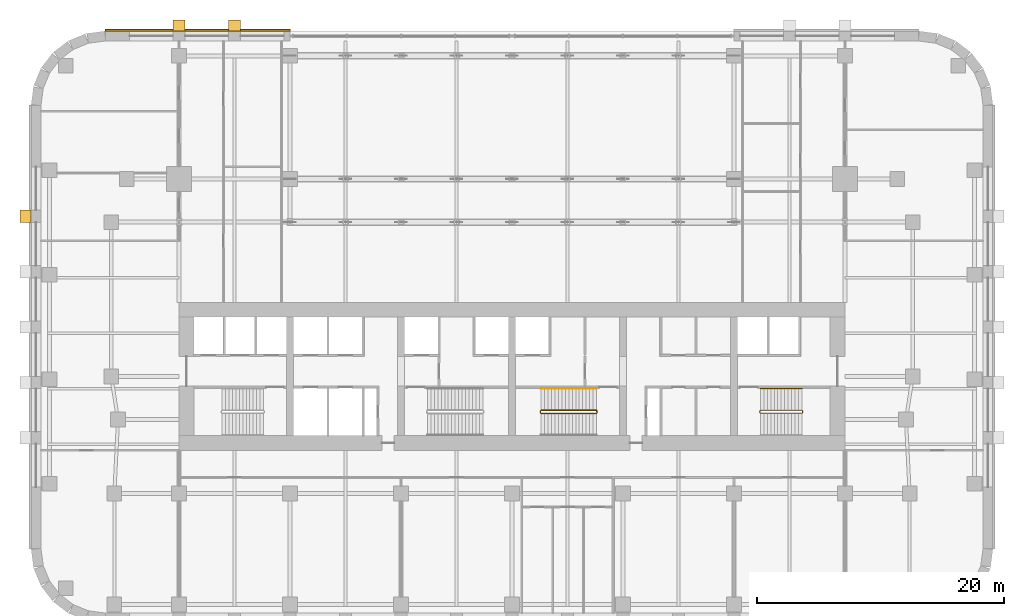
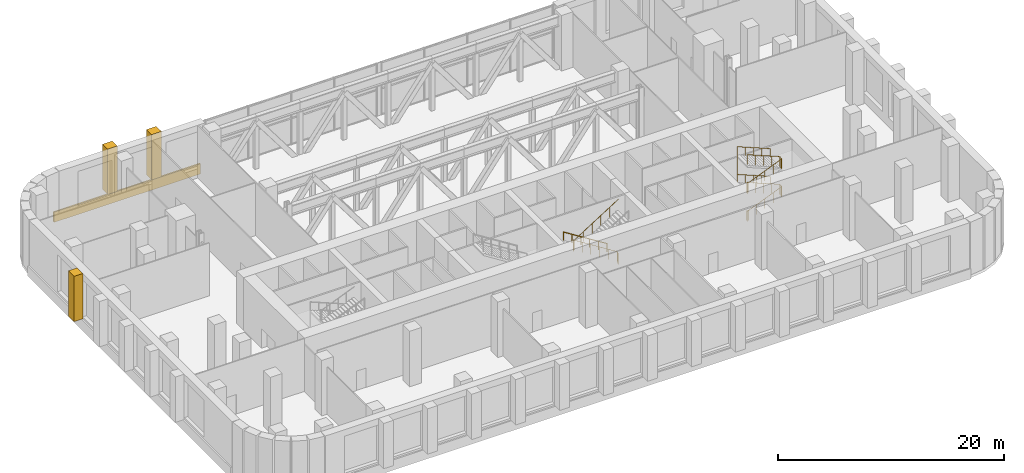
# One storey, part 11 of 13: 4 coverings, 4 railings.
"""IFC4 building model written with IfcOpenShell, lengths in metres."""

from ifc_helpers import new_model, si_unit, direction, frame, origin, origin_2d, place, context, subcontext, project, spatial, polyline, circle, outline, extrude, material, layer, layer_set, type_object, element, save


model = new_model("IFC4")

# Units and contexts
model_context = context("Model", 3, precision=1e-05, world=origin(), true_north=direction((0.0, 1.0)))
body_context = subcontext(model_context, "Body", "Model", "MODEL_VIEW")
ifc_project = project(units=[si_unit("LENGTHUNIT", "METRE"), si_unit("AREAUNIT", "SQUARE_METRE"), si_unit("VOLUMEUNIT", "CUBIC_METRE"), si_unit("PLANEANGLEUNIT", "RADIAN"), si_unit("MASSUNIT", "GRAM", prefix="KILO")], contexts=[model_context])

# Site, building, storey
site_placement = place(None, origin())
site = spatial("IfcSite", under=ifc_project, at=site_placement, CompositionType="ELEMENT")
building_placement = place(site_placement, origin())
building = spatial("IfcBuilding", under=site, at=building_placement, Name="Zellij Exchange Tower", CompositionType="ELEMENT")
storey_placement = place(building_placement, frame((0.0, 0.0, 27.0)))
storey = spatial("IfcBuildingStorey", under=building, at=storey_placement, Name="L04", CompositionType="ELEMENT", Elevation=27.0)

# Railings
ifc_material_1 = material(Name="Stainless steel", Category="steel")
railing_type_1 = type_object("IfcRailingType", Name="CORE-RG stair guard", PredefinedType="GUARDRAIL", material=ifc_material_1)
railing_1_placement = place(storey_placement, frame((6.89990234375, -10.800048828125, 0.0)))
element("IfcRailing", 1, at=railing_1_placement, inside=storey, type_object=railing_type_1, Name="ST3 stair guard L04", PredefinedType="GUARDRAIL", context=body_context, shape_type="SweptSolid", body=[
    extrude(circle(Radius=0.02392578125, at=origin_2d()), frame((0.0, 0.0, 1.076171875), z_axis=(0.0, -1.0, 0.0), x_axis=(1.0, 0.0, 0.0)), (0.0, 0.0, 1.0), 0.14990234375),
    extrude(circle(Radius=0.02392578125, at=origin_2d()), frame((0.0, -0.14990234375, 1.076171875), z_axis=(-0.183560001127, 0.736939416289, 0.650558239288), x_axis=(-0.970351222016, -0.241699205484, 0.0)), (0.0, 0.0, 1.0), 0.271240234375),
    extrude(circle(Radius=0.02392578125, at=origin_2d()), frame((-0.0498046875, 0.050048828125, 1.25244140625), z_axis=(-0.845997938375, 0.0, 0.533186166611), x_axis=(0.0, -1.0, 0.0)), (0.0, 0.0, 1.0), 5.29541015625),
    extrude(circle(Radius=0.02392578125, at=origin_2d()), frame((-4.52978515625, 0.050048828125, 4.076171875), z_axis=(-0.707106781187, -0.707106781187, 0.0), x_axis=(0.707106781187, -0.707106781187, 0.0)), (0.0, 0.0, 1.0), 0.07080078125),
    extrude(circle(Radius=0.02392578125, at=origin_2d()), frame((-4.579833984375, 0.0, 4.076171875), z_axis=(0.0, -1.0, 0.0), x_axis=(1.0, 0.0, 0.0)), (0.0, 0.0, 1.0), 0.14990234375),
    extrude(circle(Radius=0.02392578125, at=origin_2d()), frame((-4.579833984375, -0.14990234375, 4.076171875), z_axis=(0.263171338983, -0.263171338983, 0.928160380902), x_axis=(0.707106781187, 0.707106781187, 0.0)), (0.0, 0.0, 1.0), 0.190185546875),
    extrude(circle(Radius=0.02392578125, at=origin_2d()), frame((-4.52978515625, -0.199951171875, 4.25244140625), z_axis=(0.845997938375, 0.0, 0.533186166611), x_axis=(0.0, 1.0, 0.0)), (0.0, 0.0, 1.0), 5.29541015625),
    extrude(circle(Radius=0.02099609375, at=origin_2d()), origin(), (0.0, 0.0, 1.0), 1.052001953125),
    extrude(circle(Radius=0.02099609375, at=origin_2d()), frame((0.0, -0.14990234375, 0.0)), (0.0, 0.0, 1.0), 1.052001953125),
    extrude(circle(Radius=0.02099609375, at=origin_2d()), frame((-0.0498046875, 0.050048828125, 0.176513671875)), (0.0, 0.0, 1.0), 1.052001953125),
    extrude(circle(Radius=0.02099609375, at=origin_2d()), frame((-0.94580078125, 0.050048828125, 0.7412109375)), (0.0, 0.0, 1.0), 1.052001953125),
    extrude(circle(Radius=0.02099609375, at=origin_2d()), frame((-1.841796875, 0.050048828125, 1.305908203125)), (0.0, 0.0, 1.0), 1.052001953125),
    extrude(circle(Radius=0.02099609375, at=origin_2d()), frame((-2.73779296875, 0.050048828125, 1.87060546875)), (0.0, 0.0, 1.0), 1.052001953125),
    extrude(circle(Radius=0.02099609375, at=origin_2d()), frame((-3.6337890625, 0.050048828125, 2.435302734375)), (0.0, 0.0, 1.0), 1.052001953125),
    extrude(circle(Radius=0.02099609375, at=origin_2d()), frame((-4.52978515625, 0.050048828125, 3.0)), (0.0, 0.0, 1.0), 1.052001953125),
    extrude(circle(Radius=0.02099609375, at=origin_2d()), frame((-4.579833984375, 0.0, 3.0)), (0.0, 0.0, 1.0), 1.052001953125),
    extrude(circle(Radius=0.02099609375, at=origin_2d()), frame((-4.579833984375, -0.14990234375, 3.0)), (0.0, 0.0, 1.0), 1.052001953125),
    extrude(circle(Radius=0.02099609375, at=origin_2d()), frame((-4.52978515625, -0.199951171875, 3.176513671875)), (0.0, 0.0, 1.0), 1.052001953125),
    extrude(circle(Radius=0.02099609375, at=origin_2d()), frame((-3.6337890625, -0.199951171875, 3.7412109375)), (0.0, 0.0, 1.0), 1.052001953125),
    extrude(circle(Radius=0.02099609375, at=origin_2d()), frame((-2.73779296875, -0.199951171875, 4.305908203125)), (0.0, 0.0, 1.0), 1.052001953125),
    extrude(circle(Radius=0.02099609375, at=origin_2d()), frame((-1.841796875, -0.199951171875, 4.87060546875)), (0.0, 0.0, 1.0), 1.052001953125),
    extrude(circle(Radius=0.02099609375, at=origin_2d()), frame((-0.94580078125, -0.199951171875, 5.435302734375)), (0.0, 0.0, 1.0), 1.052001953125),
    extrude(circle(Radius=0.02099609375, at=origin_2d()), frame((-0.0498046875, -0.199951171875, 6.0)), (0.0, 0.0, 1.0), 1.052001953125),
])
railing_2_placement = place(storey_placement, frame((20.10009765625, -10.949951171875, 0.0)))
element("IfcRailing", 2, at=railing_2_placement, inside=storey, type_object=railing_type_1, Name="ST4 stair guard L04", PredefinedType="GUARDRAIL", context=body_context, shape_type="SweptSolid", body=[
    extrude(circle(Radius=0.02392578125, at=origin_2d()), frame((0.0, 0.0, 1.076171875), z_axis=(0.0, 1.0, 0.0), x_axis=(-1.0, 0.0, 0.0)), (0.0, 0.0, 1.0), 0.14990234375),
    extrude(circle(Radius=0.02392578125, at=origin_2d()), frame((0.0, 0.14990234375, 1.076171875), z_axis=(0.210847110147, -0.846489133385, 0.488875897547), x_axis=(0.970351222016, 0.241699205484, 0.0)), (0.0, 0.0, 1.0), 0.236328125),
    extrude(circle(Radius=0.02392578125, at=origin_2d()), frame((0.0498046875, -0.050048828125, 1.19140625), z_axis=(0.924586246868, 0.0, 0.380972797064), x_axis=(0.0, 1.0, 0.0)), (0.0, 0.0, 1.0), 3.63427734375),
    extrude(circle(Radius=0.02392578125, at=origin_2d()), frame((3.409912109375, -0.050048828125, 2.576171875), z_axis=(0.707106781187, 0.707106781187, 0.0), x_axis=(-0.707106781187, 0.707106781187, 0.0)), (0.0, 0.0, 1.0), 0.07080078125),
    extrude(circle(Radius=0.02392578125, at=origin_2d()), frame((3.4599609375, 0.0, 2.576171875), z_axis=(0.0, 1.0, 0.0), x_axis=(-1.0, 0.0, 0.0)), (0.0, 0.0, 1.0), 0.14990234375),
    extrude(circle(Radius=0.02392578125, at=origin_2d()), frame((3.4599609375, 0.14990234375, 2.576171875), z_axis=(-0.3695169537, 0.3695169537, 0.852592776099), x_axis=(-0.707106781187, -0.707106781187, 0.0)), (0.0, 0.0, 1.0), 0.135498046875),
    extrude(circle(Radius=0.02392578125, at=origin_2d()), frame((3.409912109375, 0.199951171875, 2.69140625), z_axis=(-0.924586246868, 0.0, 0.380972797064), x_axis=(0.0, -1.0, 0.0)), (0.0, 0.0, 1.0), 3.63427734375),
    extrude(circle(Radius=0.02392578125, at=origin_2d()), frame((0.0498046875, 0.199951171875, 4.076171875), z_axis=(-0.241699205484, -0.970351222016, 0.0), x_axis=(0.970351222016, -0.241699205484, 0.0)), (0.0, 0.0, 1.0), 0.2060546875),
    extrude(circle(Radius=0.02392578125, at=origin_2d()), frame((0.0, 0.0, 4.076171875), z_axis=(0.0, 1.0, 0.0), x_axis=(-1.0, 0.0, 0.0)), (0.0, 0.0, 1.0), 0.14990234375),
    extrude(circle(Radius=0.02392578125, at=origin_2d()), frame((0.0, 0.14990234375, 4.076171875), z_axis=(0.210847110147, -0.846489133385, 0.488875897547), x_axis=(0.970351222016, 0.241699205484, 0.0)), (0.0, 0.0, 1.0), 0.236328125),
    extrude(circle(Radius=0.02392578125, at=origin_2d()), frame((0.0498046875, -0.050048828125, 4.19140625), z_axis=(0.924586246868, 0.0, 0.380972797064), x_axis=(0.0, 1.0, 0.0)), (0.0, 0.0, 1.0), 3.63427734375),
    extrude(circle(Radius=0.02392578125, at=origin_2d()), frame((3.409912109375, -0.050048828125, 5.576171875), z_axis=(0.707106781187, 0.707106781187, 0.0), x_axis=(-0.707106781187, 0.707106781187, 0.0)), (0.0, 0.0, 1.0), 0.07080078125),
    extrude(circle(Radius=0.02392578125, at=origin_2d()), frame((3.4599609375, 0.0, 5.576171875), z_axis=(0.0, 1.0, 0.0), x_axis=(-1.0, 0.0, 0.0)), (0.0, 0.0, 1.0), 0.14990234375),
    extrude(circle(Radius=0.02392578125, at=origin_2d()), frame((3.4599609375, 0.14990234375, 5.576171875), z_axis=(-0.3695169537, 0.3695169537, 0.852592776099), x_axis=(-0.707106781187, -0.707106781187, 0.0)), (0.0, 0.0, 1.0), 0.135498046875),
    extrude(circle(Radius=0.02392578125, at=origin_2d()), frame((3.409912109375, 0.199951171875, 5.69140625), z_axis=(-0.924586246868, 0.0, 0.380972797064), x_axis=(0.0, -1.0, 0.0)), (0.0, 0.0, 1.0), 3.63427734375),
    extrude(circle(Radius=0.02099609375, at=origin_2d()), origin(), (0.0, 0.0, 1.0), 1.052001953125),
    extrude(circle(Radius=0.02099609375, at=origin_2d()), frame((0.0, 0.14990234375, 0.0)), (0.0, 0.0, 1.0), 1.052001953125),
    extrude(circle(Radius=0.02099609375, at=origin_2d()), frame((0.0498046875, -0.050048828125, 0.115478515625)), (0.0, 0.0, 1.0), 1.052001953125),
    extrude(circle(Radius=0.02099609375, at=origin_2d()), frame((0.889892578125, -0.050048828125, 0.461669921875)), (0.0, 0.0, 1.0), 1.052001953125),
    extrude(circle(Radius=0.02099609375, at=origin_2d()), frame((1.72998046875, -0.050048828125, 0.8076171875)), (0.0, 0.0, 1.0), 1.052001953125),
    extrude(circle(Radius=0.02099609375, at=origin_2d()), frame((2.56982421875, -0.050048828125, 1.15380859375)), (0.0, 0.0, 1.0), 1.052001953125),
    extrude(circle(Radius=0.02099609375, at=origin_2d()), frame((3.409912109375, -0.050048828125, 1.5)), (0.0, 0.0, 1.0), 1.052001953125),
    extrude(circle(Radius=0.02099609375, at=origin_2d()), frame((3.4599609375, 0.0, 1.5)), (0.0, 0.0, 1.0), 1.052001953125),
    extrude(circle(Radius=0.02099609375, at=origin_2d()), frame((3.4599609375, 0.14990234375, 1.5)), (0.0, 0.0, 1.0), 1.052001953125),
    extrude(circle(Radius=0.02099609375, at=origin_2d()), frame((3.409912109375, 0.199951171875, 1.615478515625)), (0.0, 0.0, 1.0), 1.052001953125),
    extrude(circle(Radius=0.02099609375, at=origin_2d()), frame((2.56982421875, 0.199951171875, 1.961669921875)), (0.0, 0.0, 1.0), 1.052001953125),
    extrude(circle(Radius=0.02099609375, at=origin_2d()), frame((1.72998046875, 0.199951171875, 2.3076171875)), (0.0, 0.0, 1.0), 1.052001953125),
    extrude(circle(Radius=0.02099609375, at=origin_2d()), frame((0.889892578125, 0.199951171875, 2.65380859375)), (0.0, 0.0, 1.0), 1.052001953125),
    extrude(circle(Radius=0.02099609375, at=origin_2d()), frame((0.0498046875, 0.199951171875, 3.0)), (0.0, 0.0, 1.0), 1.052001953125),
    extrude(circle(Radius=0.02099609375, at=origin_2d()), frame((0.0, 0.0, 3.0)), (0.0, 0.0, 1.0), 1.052001953125),
    extrude(circle(Radius=0.02099609375, at=origin_2d()), frame((0.0, 0.14990234375, 3.0)), (0.0, 0.0, 1.0), 1.052001953125),
    extrude(circle(Radius=0.02099609375, at=origin_2d()), frame((0.0498046875, -0.050048828125, 3.115478515625)), (0.0, 0.0, 1.0), 1.052001953125),
    extrude(circle(Radius=0.02099609375, at=origin_2d()), frame((0.889892578125, -0.050048828125, 3.461669921875)), (0.0, 0.0, 1.0), 1.052001953125),
    extrude(circle(Radius=0.02099609375, at=origin_2d()), frame((1.72998046875, -0.050048828125, 3.8076171875)), (0.0, 0.0, 1.0), 1.052001953125),
    extrude(circle(Radius=0.02099609375, at=origin_2d()), frame((2.56982421875, -0.050048828125, 4.15380859375)), (0.0, 0.0, 1.0), 1.052001953125),
    extrude(circle(Radius=0.02099609375, at=origin_2d()), frame((3.409912109375, -0.050048828125, 4.5)), (0.0, 0.0, 1.0), 1.052001953125),
    extrude(circle(Radius=0.02099609375, at=origin_2d()), frame((3.4599609375, 0.0, 4.5)), (0.0, 0.0, 1.0), 1.052001953125),
    extrude(circle(Radius=0.02099609375, at=origin_2d()), frame((3.4599609375, 0.14990234375, 4.5)), (0.0, 0.0, 1.0), 1.052001953125),
    extrude(circle(Radius=0.02099609375, at=origin_2d()), frame((3.409912109375, 0.199951171875, 4.615478515625)), (0.0, 0.0, 1.0), 1.052001953125),
    extrude(circle(Radius=0.02099609375, at=origin_2d()), frame((2.56982421875, 0.199951171875, 4.961669921875)), (0.0, 0.0, 1.0), 1.052001953125),
    extrude(circle(Radius=0.02099609375, at=origin_2d()), frame((1.72998046875, 0.199951171875, 5.3076171875)), (0.0, 0.0, 1.0), 1.052001953125),
    extrude(circle(Radius=0.02099609375, at=origin_2d()), frame((0.889892578125, 0.199951171875, 5.65380859375)), (0.0, 0.0, 1.0), 1.052001953125),
    extrude(circle(Radius=0.02099609375, at=origin_2d()), frame((0.0498046875, 0.199951171875, 6.0)), (0.0, 0.0, 1.0), 1.052001953125),
])
railing_type_2 = type_object("IfcRailingType", Name="CORE-RH stair handrail", PredefinedType="HANDRAIL", material=ifc_material_1)
railing_3_placement = place(storey_placement, frame((6.85009765625, -9.0, 0.176513671875)))
element("IfcRailing", 3, at=railing_3_placement, inside=storey, type_object=railing_type_2, Name="ST3 stair handrail L04", PredefinedType="HANDRAIL", context=body_context, shape_type="SweptSolid", body=[
    extrude(circle(Radius=0.02392578125, at=origin_2d()), frame((0.0, 0.0, 0.8759765625), z_axis=(-0.845997938375, 0.0, 0.533186166611), x_axis=(0.0, -1.0, 0.0)), (0.0, 0.0, 1.0), 5.29541015625),
    extrude(circle(Radius=0.02099609375, at=origin_2d()), origin(), (0.0, 0.0, 1.0), 0.851806640625),
    extrude(circle(Radius=0.02099609375, at=origin_2d()), frame((-0.89599609375, 0.0, 0.564697265625)), (0.0, 0.0, 1.0), 0.851806640625),
    extrude(circle(Radius=0.02099609375, at=origin_2d()), frame((-1.7919921875, 0.0, 1.12939453125)), (0.0, 0.0, 1.0), 0.851806640625),
    extrude(circle(Radius=0.02099609375, at=origin_2d()), frame((-2.68798828125, 0.0, 1.694091796875)), (0.0, 0.0, 1.0), 0.851806640625),
    extrude(circle(Radius=0.02099609375, at=origin_2d()), frame((-3.583984375, 0.0, 2.2587890625)), (0.0, 0.0, 1.0), 0.851806640625),
    extrude(circle(Radius=0.02099609375, at=origin_2d()), frame((-4.47998046875, 0.0, 2.823486328125)), (0.0, 0.0, 1.0), 0.851806640625),
])
railing_4_placement = place(storey_placement, frame((23.510009765625, -9.0, 1.615478515625)))
element("IfcRailing", 4, at=railing_4_placement, inside=storey, type_object=railing_type_2, Name="ST4 stair handrail L04", PredefinedType="HANDRAIL", context=body_context, shape_type="SweptSolid", body=[
    extrude(circle(Radius=0.02392578125, at=origin_2d()), frame((0.0, 0.0, 0.8759765625), z_axis=(-0.924586246868, 0.0, 0.380972797064), x_axis=(0.0, -1.0, 0.0)), (0.0, 0.0, 1.0), 3.63427734375),
    extrude(circle(Radius=0.02392578125, at=origin_2d()), frame((-3.360107421875, 0.0, 2.26025390625), z_axis=(0.0, 0.0, 1.0), x_axis=(1.0, 0.0, 0.0)), (0.0, 0.0, 1.0), 3.0),
    extrude(circle(Radius=0.02392578125, at=origin_2d()), frame((-3.360107421875, 0.0, 5.26025390625), z_axis=(0.924586246868, 0.0, -0.380972797064), x_axis=(0.0, 1.0, 0.0)), (0.0, 0.0, 1.0), 3.63427734375),
    extrude(circle(Radius=0.02099609375, at=origin_2d()), origin(), (0.0, 0.0, 1.0), 0.851806640625),
    extrude(circle(Radius=0.02099609375, at=origin_2d()), frame((-0.840087890625, 0.0, 0.34619140625)), (0.0, 0.0, 1.0), 0.851806640625),
    extrude(circle(Radius=0.02099609375, at=origin_2d()), frame((-1.68017578125, 0.0, 0.6923828125)), (0.0, 0.0, 1.0), 0.851806640625),
    extrude(circle(Radius=0.02099609375, at=origin_2d()), frame((-2.52001953125, 0.0, 1.038330078125)), (0.0, 0.0, 1.0), 0.851806640625),
    extrude(circle(Radius=0.02099609375, at=origin_2d()), frame((-3.360107421875, 0.0, 1.384521484375)), (0.0, 0.0, 1.0), 0.851806640625),
    extrude(circle(Radius=0.02099609375, at=origin_2d()), frame((-3.360107421875, 0.0, 2.384521484375)), (0.0, 0.0, 1.0), 0.851806640625),
    extrude(circle(Radius=0.02099609375, at=origin_2d()), frame((-3.360107421875, 0.0, 3.384521484375)), (0.0, 0.0, 1.0), 0.851806640625),
    extrude(circle(Radius=0.02099609375, at=origin_2d()), frame((-3.360107421875, 0.0, 4.384521484375)), (0.0, 0.0, 1.0), 0.851806640625),
    extrude(circle(Radius=0.02099609375, at=origin_2d()), frame((-2.52001953125, 0.0, 4.038330078125)), (0.0, 0.0, 1.0), 0.851806640625),
    extrude(circle(Radius=0.02099609375, at=origin_2d()), frame((-1.68017578125, 0.0, 3.6923828125)), (0.0, 0.0, 1.0), 0.851806640625),
    extrude(circle(Radius=0.02099609375, at=origin_2d()), frame((-0.840087890625, 0.0, 3.34619140625)), (0.0, 0.0, 1.0), 0.851806640625),
    extrude(circle(Radius=0.02099609375, at=origin_2d()), frame((0.0, 0.0, 3.0)), (0.0, 0.0, 1.0), 0.851806640625),
])

# Coverings
ifc_material_2 = material(Name="Limestone cladding", Category="masonry")
ifc_layer = layer(ifc_material_2, 0.14990234375)
ifc_layer_set = layer_set([ifc_layer], Name="Limestone cladding")
covering_type_1 = type_object("IfcCoveringType", Name="ENV-CV1 Stone spandrel band 150", PredefinedType="CLADDING", material=ifc_layer_set)
covering_1_placement = place(storey_placement, frame((0.0, 0.0, -0.300048828125)))
element("IfcCovering", 5, at=covering_1_placement, inside=storey, type_object=covering_type_1, Name="Stone spandrel band", PredefinedType="CLADDING", context=body_context, shape_type="SweptSolid", body=[
    extrude(outline(polyline([(-18.0, 20.0), (-32.973876953125, 20.0), (-32.983642578125, 20.14990234375), (-18.0, 20.14990234375), (-18.0, 20.0)])), origin(), (0.0, 0.0, 1.0), 1.10009765625),
])
covering_type_2 = type_object("IfcCoveringType", Name="ENV-CV2 Stone pier 1000x900", PredefinedType="CLADDING", material=ifc_material_2)
covering_2_placement = place(storey_placement, frame((0.0, 0.0, 0.800048828125)))
element("IfcCovering", 6, at=covering_2_placement, inside=storey, type_object=covering_type_2, Name="Stone pier", PredefinedType="CLADDING", context=body_context, shape_type="SweptSolid", body=[
    extrude(outline(polyline([(-22.0, 20.0), (-23.0, 20.0), (-23.0, 20.89990234375), (-22.0, 20.89990234375), (-22.0, 20.0)])), origin(), (0.0, 0.0, 1.0), 4.89990234375),
])
covering_3_placement = place(storey_placement, frame((0.0, 0.0, 0.800048828125)))
element("IfcCovering", 7, at=covering_3_placement, inside=storey, type_object=covering_type_2, Name="Stone pier", PredefinedType="CLADDING", context=body_context, shape_type="SweptSolid", body=[
    extrude(outline(polyline([(-26.5, 20.0), (-27.5, 20.0), (-27.5, 20.89990234375), (-26.5, 20.89990234375), (-26.5, 20.0)])), origin(), (0.0, 0.0, 1.0), 4.89990234375),
])
covering_4_placement = place(storey_placement, frame((0.0, 0.0, 0.800048828125)))
element("IfcCovering", 8, at=covering_4_placement, inside=storey, type_object=covering_type_2, Name="Stone pier", PredefinedType="CLADDING", context=body_context, shape_type="SweptSolid", body=[
    extrude(outline(polyline([(-39.0, 5.48681640625), (-39.0, 4.48681640625), (-39.89990234375, 4.48681640625), (-39.89990234375, 5.48681640625), (-39.0, 5.48681640625)])), origin(), (0.0, 0.0, 1.0), 4.89990234375),
])

save(model, "model.ifc")
